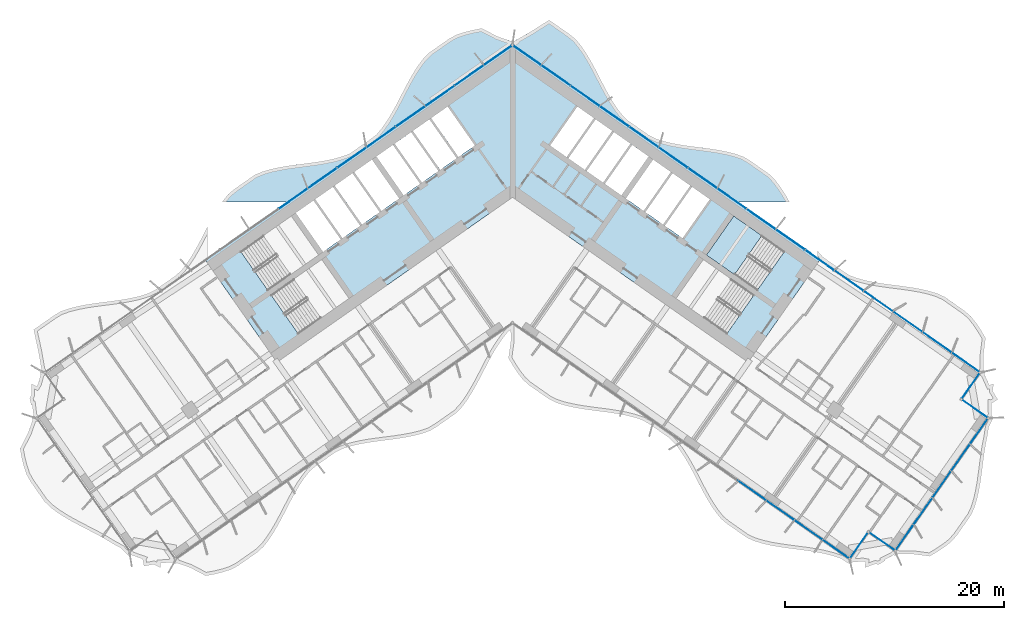
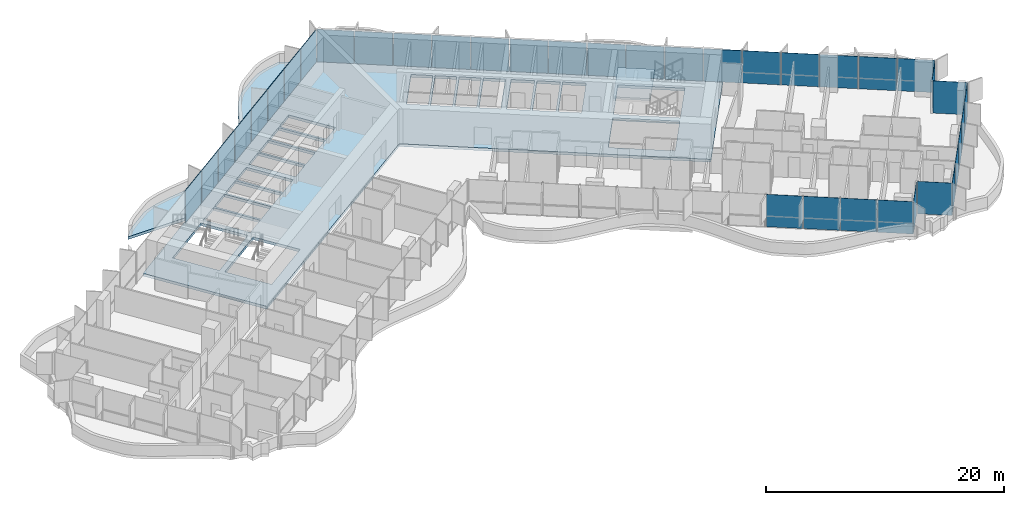
# One storey, part 12 of 25: 37 plates, 3 slabs, 3 elements without a shape of their own.
"""IFC4 building model written with IfcOpenShell, lengths in metres."""

from ifc_helpers import new_model, si_unit, direction, frame, origin, origin_2d, place, context, subcontext, project, spatial, polyline, rectangle, outline, extrude, material, layer, layer_set, type_object, element, aggregate, save


model = new_model("IFC4")

# Units and contexts
model_context = context("Model", 3, precision=1e-05, world=origin(), true_north=direction((0.0, 1.0)))
body_context = subcontext(model_context, "Body", "Model", "MODEL_VIEW")
ifc_project = project(units=[si_unit("LENGTHUNIT", "METRE"), si_unit("AREAUNIT", "SQUARE_METRE"), si_unit("VOLUMEUNIT", "CUBIC_METRE"), si_unit("PLANEANGLEUNIT", "RADIAN"), si_unit("MASSUNIT", "GRAM", prefix="KILO")], contexts=[model_context])

# Site, building, storey
site_placement = place(None, origin())
site = spatial("IfcSite", under=ifc_project, at=site_placement, CompositionType="ELEMENT")
building_placement = place(site_placement, origin())
building = spatial("IfcBuilding", under=site, at=building_placement, Name="Tel Ilan Convention Tower", CompositionType="ELEMENT")
storey_placement = place(building_placement, frame((0.0, 0.0, 54.5)))
storey = spatial("IfcBuildingStorey", under=building, at=storey_placement, Name="L08", CompositionType="ELEMENT", Elevation=54.5)

# Curtain wall, plates
ifc_material_1 = material(Name="Aluminium, bronze anodised", Category="aluminium")
curtain_wall_type_1 = type_object("IfcCurtainWallType", Name="CW1 UNITISED CURTAIN WALL, HOTEL TINTED GLASS", PredefinedType="NOTDEFINED", material=ifc_material_1)
curtain_wall_1_placement = place(storey_placement, origin())
curtain_wall_1 = element("IfcCurtainWall", 1, at=curtain_wall_1_placement, inside=storey, type_object=curtain_wall_type_1, Name="Curtain wall CW1-11.02", PredefinedType="NOTDEFINED")
ifc_material_2 = material(Name="Glass, bronze tinted, two-ply unitised", Category="glass")
ifc_layer_1 = layer(ifc_material_2, 0.028076171875)
ifc_layer_set_1 = layer_set([ifc_layer_1], Name="CW HOTEL GLASS PANEL 28")
plate_type_1 = type_object("IfcPlateType", Name="CW HOTEL GLASS PANEL 28", PredefinedType="CURTAIN_PANEL", material=ifc_layer_set_1)
plate_1_placement = place(storey_placement, frame((21.90185546875, -28.031982421875, 0.0), z_axis=(0.0, 0.0, 1.0), x_axis=(0.819152044289, -0.573576436351, 0.0)))
plate_1 = element("IfcPlate", 2, at=plate_1_placement, type_object=plate_type_1, Name="Glass panel", PredefinedType="CURTAIN_PANEL", context=body_context, shape_type="SweptSolid", body=[
    extrude(rectangle(XDim=3.077392578125, YDim=0.028076171875, at=origin_2d()), origin(), (0.0, 0.0, 1.0), 3.320068359375),
])
plate_2_placement = place(storey_placement, frame((24.4716796875, -29.831298828125, 0.0), z_axis=(0.0, 0.0, 1.0), x_axis=(0.819152044289, -0.573576436351, 0.0)))
plate_2 = element("IfcPlate", 3, at=plate_2_placement, type_object=plate_type_1, Name="Glass panel", PredefinedType="CURTAIN_PANEL", context=body_context, shape_type="SweptSolid", body=[
    extrude(rectangle(XDim=3.077392578125, YDim=0.028076171875, at=origin_2d()), origin(), (0.0, 0.0, 1.0), 3.320068359375),
])
plate_3_placement = place(storey_placement, frame((27.041748046875, -31.630859375, 0.0), z_axis=(0.0, 0.0, 1.0), x_axis=(0.819152044289, -0.573576436351, 0.0)))
plate_3 = element("IfcPlate", 4, at=plate_3_placement, type_object=plate_type_1, Name="Glass panel", PredefinedType="CURTAIN_PANEL", context=body_context, shape_type="SweptSolid", body=[
    extrude(rectangle(XDim=3.077392578125, YDim=0.028076171875, at=origin_2d()), origin(), (0.0, 0.0, 1.0), 3.320068359375),
])
plate_4_placement = place(storey_placement, frame((29.5732421875, -33.4033203125, 0.0), z_axis=(0.0, 0.0, 1.0), x_axis=(0.819152044289, -0.573576436351, 0.0)))
plate_4 = element("IfcPlate", 5, at=plate_4_placement, type_object=plate_type_1, Name="Glass panel", PredefinedType="CURTAIN_PANEL", context=body_context, shape_type="SweptSolid", body=[
    extrude(rectangle(XDim=2.9833984375, YDim=0.028076171875, at=origin_2d()), origin(), (0.0, 0.0, 1.0), 3.320068359375),
])
plate_5_placement = place(storey_placement, frame((31.653076171875, -33.07568359375, 0.0), z_axis=(0.0, 0.0, 1.0), x_axis=(0.573576436351, 0.819152044289, 0.0)))
plate_5 = element("IfcPlate", 6, at=plate_5_placement, type_object=plate_type_1, Name="Glass panel", PredefinedType="CURTAIN_PANEL", context=body_context, shape_type="SweptSolid", body=[
    extrude(rectangle(XDim=2.875, YDim=0.028076171875, at=origin_2d()), origin(), (0.0, 0.0, 1.0), 3.320068359375),
])
plate_6_placement = place(storey_placement, frame((33.795654296875, -32.69775390625, 0.0), z_axis=(0.0, 0.0, 1.0), x_axis=(0.819152044289, -0.573576436351, 0.0)))
plate_6 = element("IfcPlate", 7, at=plate_6_placement, type_object=plate_type_1, Name="Glass panel", PredefinedType="CURTAIN_PANEL", context=body_context, shape_type="SweptSolid", body=[
    extrude(rectangle(XDim=2.875, YDim=0.028076171875, at=origin_2d()), origin(), (0.0, 0.0, 1.0), 3.320068359375),
])
plate_7_placement = place(storey_placement, frame((35.822998046875, -32.350830078125, 0.0), z_axis=(0.0, 0.0, 1.0), x_axis=(0.573576436351, 0.819152044289, 0.0)))
plate_7 = element("IfcPlate", 8, at=plate_7_placement, type_object=plate_type_1, Name="Glass panel", PredefinedType="CURTAIN_PANEL", context=body_context, shape_type="SweptSolid", body=[
    extrude(rectangle(XDim=2.845947265625, YDim=0.028076171875, at=origin_2d()), origin(), (0.0, 0.0, 1.0), 3.320068359375),
])
plate_8_placement = place(storey_placement, frame((37.5166015625, -29.931884765625, 0.0), z_axis=(0.0, 0.0, 1.0), x_axis=(0.573576436351, 0.819152044289, 0.0)))
plate_8 = element("IfcPlate", 9, at=plate_8_placement, type_object=plate_type_1, Name="Glass panel", PredefinedType="CURTAIN_PANEL", context=body_context, shape_type="SweptSolid", body=[
    extrude(rectangle(XDim=2.93994140625, YDim=0.028076171875, at=origin_2d()), origin(), (0.0, 0.0, 1.0), 3.320068359375),
])
plate_9_placement = place(storey_placement, frame((39.2373046875, -27.474365234375, 0.0), z_axis=(0.0, 0.0, 1.0), x_axis=(0.573576436351, 0.819152044289, 0.0)))
plate_9 = element("IfcPlate", 10, at=plate_9_placement, type_object=plate_type_1, Name="Glass panel", PredefinedType="CURTAIN_PANEL", context=body_context, shape_type="SweptSolid", body=[
    extrude(rectangle(XDim=2.93994140625, YDim=0.028076171875, at=origin_2d()), origin(), (0.0, 0.0, 1.0), 3.320068359375),
])
plate_10_placement = place(storey_placement, frame((40.9580078125, -25.016845703125, 0.0), z_axis=(0.0, 0.0, 1.0), x_axis=(0.573576436351, 0.819152044289, 0.0)))
plate_10 = element("IfcPlate", 11, at=plate_10_placement, type_object=plate_type_1, Name="Glass panel", PredefinedType="CURTAIN_PANEL", context=body_context, shape_type="SweptSolid", body=[
    extrude(rectangle(XDim=2.93994140625, YDim=0.028076171875, at=origin_2d()), origin(), (0.0, 0.0, 1.0), 3.320068359375),
])
plate_11_placement = place(storey_placement, frame((42.65185546875, -22.597900390625, 0.0), z_axis=(0.0, 0.0, 1.0), x_axis=(0.573576436351, 0.819152044289, 0.0)))
plate_11 = element("IfcPlate", 12, at=plate_11_placement, type_object=plate_type_1, Name="Glass panel", PredefinedType="CURTAIN_PANEL", context=body_context, shape_type="SweptSolid", body=[
    extrude(rectangle(XDim=2.845947265625, YDim=0.028076171875, at=origin_2d()), origin(), (0.0, 0.0, 1.0), 3.320068359375),
])
plate_12_placement = place(storey_placement, frame((42.28466796875, -20.57421875, 0.0), z_axis=(0.0, 0.0, 1.0), x_axis=(-0.819152044289, 0.573576436351, 0.0)))
plate_12 = element("IfcPlate", 13, at=plate_12_placement, type_object=plate_type_1, Name="Glass panel", PredefinedType="CURTAIN_PANEL", context=body_context, shape_type="SweptSolid", body=[
    extrude(rectangle(XDim=2.875, YDim=0.028076171875, at=origin_2d()), origin(), (0.0, 0.0, 1.0), 3.320068359375),
])
plate_13_placement = place(storey_placement, frame((41.90673828125, -18.431640625, 0.0), z_axis=(0.0, 0.0, 1.0), x_axis=(0.573576436351, 0.819152044289, 0.0)))
plate_13 = element("IfcPlate", 14, at=plate_13_placement, type_object=plate_type_1, Name="Glass panel", PredefinedType="CURTAIN_PANEL", context=body_context, shape_type="SweptSolid", body=[
    extrude(rectangle(XDim=2.875, YDim=0.028076171875, at=origin_2d()), origin(), (0.0, 0.0, 1.0), 3.320068359375),
])
plate_14_placement = place(storey_placement, frame((41.448486328125, -16.326416015625, 0.0), z_axis=(0.0, 0.0, 1.0), x_axis=(-0.819152044289, 0.573576436351, 0.0)))
plate_14 = element("IfcPlate", 15, at=plate_14_placement, type_object=plate_type_1, Name="Glass panel", PredefinedType="CURTAIN_PANEL", context=body_context, shape_type="SweptSolid", body=[
    extrude(rectangle(XDim=3.117919921875, YDim=0.028076171875, at=origin_2d()), origin(), (0.0, 0.0, 1.0), 3.320068359375),
])
plate_15_placement = place(storey_placement, frame((38.806640625, -14.4765625, 0.0), z_axis=(0.0, 0.0, 1.0), x_axis=(-0.819152044289, 0.573576436351, 0.0)))
plate_15 = element("IfcPlate", 16, at=plate_15_placement, type_object=plate_type_1, Name="Glass panel", PredefinedType="CURTAIN_PANEL", context=body_context, shape_type="SweptSolid", body=[
    extrude(rectangle(XDim=3.2119140625, YDim=0.028076171875, at=origin_2d()), origin(), (0.0, 0.0, 1.0), 3.320068359375),
])
plate_16_placement = place(storey_placement, frame((36.12646484375, -12.599853515625, 0.0), z_axis=(0.0, 0.0, 1.0), x_axis=(-0.819152044289, 0.573576436351, 0.0)))
plate_16 = element("IfcPlate", 17, at=plate_16_placement, type_object=plate_type_1, Name="Glass panel", PredefinedType="CURTAIN_PANEL", context=body_context, shape_type="SweptSolid", body=[
    extrude(rectangle(XDim=3.2119140625, YDim=0.028076171875, at=origin_2d()), origin(), (0.0, 0.0, 1.0), 3.320068359375),
])
plate_17_placement = place(storey_placement, frame((33.446044921875, -10.72314453125, 0.0), z_axis=(0.0, 0.0, 1.0), x_axis=(-0.819152044289, 0.573576436351, 0.0)))
plate_17 = element("IfcPlate", 18, at=plate_17_placement, type_object=plate_type_1, Name="Glass panel", PredefinedType="CURTAIN_PANEL", context=body_context, shape_type="SweptSolid", body=[
    extrude(rectangle(XDim=3.2119140625, YDim=0.028076171875, at=origin_2d()), origin(), (0.0, 0.0, 1.0), 3.320068359375),
])
plate_18_placement = place(storey_placement, frame((30.765869140625, -8.846435546875, 0.0), z_axis=(0.0, 0.0, 1.0), x_axis=(-0.819152044289, 0.573576436351, 0.0)))
plate_18 = element("IfcPlate", 19, at=plate_18_placement, type_object=plate_type_1, Name="Glass panel", PredefinedType="CURTAIN_PANEL", context=body_context, shape_type="SweptSolid", body=[
    extrude(rectangle(XDim=3.2119140625, YDim=0.028076171875, at=origin_2d()), origin(), (0.0, 0.0, 1.0), 3.320068359375),
])
aggregate(curtain_wall_1, [plate_1, plate_2, plate_3, plate_4, plate_5, plate_6, plate_7, plate_8, plate_9, plate_10, plate_11, plate_12, plate_13, plate_14, plate_15, plate_16, plate_17, plate_18])

ifc_material_3 = material(Name="Aluminium, bronze anodised", Category="aluminium")
curtain_wall_type_2 = type_object("IfcCurtainWallType", Name="CW2 STICK CURTAIN WALL, SPANDREL PANELS", PredefinedType="NOTDEFINED", material=ifc_material_3)
curtain_wall_2_placement = place(storey_placement, origin())
curtain_wall_2 = element("IfcCurtainWall", 20, at=curtain_wall_2_placement, inside=storey, type_object=curtain_wall_type_2, Name="Curtain wall CW2-11.01", PredefinedType="NOTDEFINED")
ifc_material_4 = material(Name="Aluminium composite panel, bronze anodised", Category="aluminium")
ifc_layer_2 = layer(ifc_material_4, 0.06005859375)
ifc_layer_set_2 = layer_set([ifc_layer_2], Name="CW SPANDREL PANEL 60")
plate_type_2 = type_object("IfcPlateType", Name="CW SPANDREL PANEL 60", PredefinedType="CURTAIN_PANEL", material=ifc_layer_set_2)
plate_19_placement = place(storey_placement, frame((28.08544921875, -6.9697265625, 0.0), z_axis=(0.0, 0.0, 1.0), x_axis=(-0.819152044289, 0.573576436351, 0.0)))
plate_19 = element("IfcPlate", 21, at=plate_19_placement, type_object=plate_type_2, Name="Spandrel panel", PredefinedType="CURTAIN_PANEL", context=body_context, shape_type="SweptSolid", body=[
    extrude(rectangle(XDim=3.2119140625, YDim=0.06005859375, at=origin_2d()), origin(), (0.0, 0.0, 1.0), 3.320068359375),
])
plate_20_placement = place(storey_placement, frame((25.4052734375, -5.0927734375, 0.0), z_axis=(0.0, 0.0, 1.0), x_axis=(-0.819152044289, 0.573576436351, 0.0)))
plate_20 = element("IfcPlate", 22, at=plate_20_placement, type_object=plate_type_2, Name="Spandrel panel", PredefinedType="CURTAIN_PANEL", context=body_context, shape_type="SweptSolid", body=[
    extrude(rectangle(XDim=3.2119140625, YDim=0.06005859375, at=origin_2d()), origin(), (0.0, 0.0, 1.0), 3.320068359375),
])
plate_21_placement = place(storey_placement, frame((22.72509765625, -3.216064453125, 0.0), z_axis=(0.0, 0.0, 1.0), x_axis=(-0.819152044289, 0.573576436351, 0.0)))
plate_21 = element("IfcPlate", 23, at=plate_21_placement, type_object=plate_type_2, Name="Spandrel panel", PredefinedType="CURTAIN_PANEL", context=body_context, shape_type="SweptSolid", body=[
    extrude(rectangle(XDim=3.2119140625, YDim=0.06005859375, at=origin_2d()), origin(), (0.0, 0.0, 1.0), 3.320068359375),
])
plate_22_placement = place(storey_placement, frame((20.044677734375, -1.33935546875, 0.0), z_axis=(0.0, 0.0, 1.0), x_axis=(-0.819152044289, 0.573576436351, 0.0)))
plate_22 = element("IfcPlate", 24, at=plate_22_placement, type_object=plate_type_2, Name="Spandrel panel", PredefinedType="CURTAIN_PANEL", context=body_context, shape_type="SweptSolid", body=[
    extrude(rectangle(XDim=3.2119140625, YDim=0.06005859375, at=origin_2d()), origin(), (0.0, 0.0, 1.0), 3.320068359375),
])
plate_23_placement = place(storey_placement, frame((17.364501953125, 0.537353515625, 0.0), z_axis=(0.0, 0.0, 1.0), x_axis=(-0.819152044289, 0.573576436351, 0.0)))
plate_23 = element("IfcPlate", 25, at=plate_23_placement, type_object=plate_type_2, Name="Spandrel panel", PredefinedType="CURTAIN_PANEL", context=body_context, shape_type="SweptSolid", body=[
    extrude(rectangle(XDim=3.2119140625, YDim=0.06005859375, at=origin_2d()), origin(), (0.0, 0.0, 1.0), 3.320068359375),
])
plate_24_placement = place(storey_placement, frame((14.68408203125, 2.4140625, 0.0), z_axis=(0.0, 0.0, 1.0), x_axis=(-0.819152044289, 0.573576436351, 0.0)))
plate_24 = element("IfcPlate", 26, at=plate_24_placement, type_object=plate_type_2, Name="Spandrel panel", PredefinedType="CURTAIN_PANEL", context=body_context, shape_type="SweptSolid", body=[
    extrude(rectangle(XDim=3.2119140625, YDim=0.06005859375, at=origin_2d()), origin(), (0.0, 0.0, 1.0), 3.320068359375),
])
plate_25_placement = place(storey_placement, frame((12.00390625, 4.290771484375, 0.0), z_axis=(0.0, 0.0, 1.0), x_axis=(-0.819152044289, 0.573576436351, 0.0)))
plate_25 = element("IfcPlate", 27, at=plate_25_placement, type_object=plate_type_2, Name="Spandrel panel", PredefinedType="CURTAIN_PANEL", context=body_context, shape_type="SweptSolid", body=[
    extrude(rectangle(XDim=3.2119140625, YDim=0.06005859375, at=origin_2d()), origin(), (0.0, 0.0, 1.0), 3.320068359375),
])
plate_26_placement = place(storey_placement, frame((9.323486328125, 6.16748046875, 0.0), z_axis=(0.0, 0.0, 1.0), x_axis=(-0.819152044289, 0.573576436351, 0.0)))
plate_26 = element("IfcPlate", 28, at=plate_26_placement, type_object=plate_type_2, Name="Spandrel panel", PredefinedType="CURTAIN_PANEL", context=body_context, shape_type="SweptSolid", body=[
    extrude(rectangle(XDim=3.2119140625, YDim=0.06005859375, at=origin_2d()), origin(), (0.0, 0.0, 1.0), 3.320068359375),
])
plate_27_placement = place(storey_placement, frame((6.643310546875, 8.04443359375, 0.0), z_axis=(0.0, 0.0, 1.0), x_axis=(-0.819152044289, 0.573576436351, 0.0)))
plate_27 = element("IfcPlate", 29, at=plate_27_placement, type_object=plate_type_2, Name="Spandrel panel", PredefinedType="CURTAIN_PANEL", context=body_context, shape_type="SweptSolid", body=[
    extrude(rectangle(XDim=3.2119140625, YDim=0.06005859375, at=origin_2d()), origin(), (0.0, 0.0, 1.0), 3.320068359375),
])
plate_28_placement = place(storey_placement, frame((3.963134765625, 9.921142578125, 0.0), z_axis=(0.0, 0.0, 1.0), x_axis=(-0.819152044289, 0.573576436351, 0.0)))
plate_28 = element("IfcPlate", 30, at=plate_28_placement, type_object=plate_type_2, Name="Spandrel panel", PredefinedType="CURTAIN_PANEL", context=body_context, shape_type="SweptSolid", body=[
    extrude(rectangle(XDim=3.2119140625, YDim=0.06005859375, at=origin_2d()), origin(), (0.0, 0.0, 1.0), 3.320068359375),
])
plate_29_placement = place(storey_placement, frame((1.327880859375, 11.766357421875, 0.0), z_axis=(0.0, 0.0, 1.0), x_axis=(-0.819152044289, 0.573576436351, 0.0)))
plate_29 = element("IfcPlate", 31, at=plate_29_placement, type_object=plate_type_2, Name="Spandrel panel", PredefinedType="CURTAIN_PANEL", context=body_context, shape_type="SweptSolid", body=[
    extrude(rectangle(XDim=3.10205078125, YDim=0.06005859375, at=origin_2d()), origin(), (0.0, 0.0, 1.0), 3.320068359375),
])
plate_30_placement = place(storey_placement, frame((-1.327880859375, 11.766357421875, 0.0), z_axis=(0.0, 0.0, 1.0), x_axis=(-0.819152044289, -0.573576436351, 0.0)))
plate_30 = element("IfcPlate", 32, at=plate_30_placement, type_object=plate_type_2, Name="Spandrel panel", PredefinedType="CURTAIN_PANEL", context=body_context, shape_type="SweptSolid", body=[
    extrude(rectangle(XDim=3.10205078125, YDim=0.06005859375, at=origin_2d()), origin(), (0.0, 0.0, 1.0), 3.320068359375),
])
plate_31_placement = place(storey_placement, frame((-3.963134765625, 9.921142578125, 0.0), z_axis=(0.0, 0.0, 1.0), x_axis=(-0.819152044289, -0.573576436351, 0.0)))
plate_31 = element("IfcPlate", 33, at=plate_31_placement, type_object=plate_type_2, Name="Spandrel panel", PredefinedType="CURTAIN_PANEL", context=body_context, shape_type="SweptSolid", body=[
    extrude(rectangle(XDim=3.2119140625, YDim=0.06005859375, at=origin_2d()), origin(), (0.0, 0.0, 1.0), 3.320068359375),
])
plate_32_placement = place(storey_placement, frame((-6.643310546875, 8.04443359375, 0.0), z_axis=(0.0, 0.0, 1.0), x_axis=(-0.819152044289, -0.573576436351, 0.0)))
plate_32 = element("IfcPlate", 34, at=plate_32_placement, type_object=plate_type_2, Name="Spandrel panel", PredefinedType="CURTAIN_PANEL", context=body_context, shape_type="SweptSolid", body=[
    extrude(rectangle(XDim=3.2119140625, YDim=0.06005859375, at=origin_2d()), origin(), (0.0, 0.0, 1.0), 3.320068359375),
])
plate_33_placement = place(storey_placement, frame((-9.323486328125, 6.16748046875, 0.0), z_axis=(0.0, 0.0, 1.0), x_axis=(-0.819152044289, -0.573576436351, 0.0)))
plate_33 = element("IfcPlate", 35, at=plate_33_placement, type_object=plate_type_2, Name="Spandrel panel", PredefinedType="CURTAIN_PANEL", context=body_context, shape_type="SweptSolid", body=[
    extrude(rectangle(XDim=3.2119140625, YDim=0.06005859375, at=origin_2d()), origin(), (0.0, 0.0, 1.0), 3.320068359375),
])
plate_34_placement = place(storey_placement, frame((-12.00390625, 4.290771484375, 0.0), z_axis=(0.0, 0.0, 1.0), x_axis=(-0.819152044289, -0.573576436351, 0.0)))
plate_34 = element("IfcPlate", 36, at=plate_34_placement, type_object=plate_type_2, Name="Spandrel panel", PredefinedType="CURTAIN_PANEL", context=body_context, shape_type="SweptSolid", body=[
    extrude(rectangle(XDim=3.2119140625, YDim=0.06005859375, at=origin_2d()), origin(), (0.0, 0.0, 1.0), 3.320068359375),
])
plate_35_placement = place(storey_placement, frame((-14.68408203125, 2.4140625, 0.0), z_axis=(0.0, 0.0, 1.0), x_axis=(-0.819152044289, -0.573576436351, 0.0)))
plate_35 = element("IfcPlate", 37, at=plate_35_placement, type_object=plate_type_2, Name="Spandrel panel", PredefinedType="CURTAIN_PANEL", context=body_context, shape_type="SweptSolid", body=[
    extrude(rectangle(XDim=3.2119140625, YDim=0.06005859375, at=origin_2d()), origin(), (0.0, 0.0, 1.0), 3.320068359375),
])
plate_36_placement = place(storey_placement, frame((-17.364501953125, 0.537353515625, 0.0), z_axis=(0.0, 0.0, 1.0), x_axis=(-0.819152044289, -0.573576436351, 0.0)))
plate_36 = element("IfcPlate", 38, at=plate_36_placement, type_object=plate_type_2, Name="Spandrel panel", PredefinedType="CURTAIN_PANEL", context=body_context, shape_type="SweptSolid", body=[
    extrude(rectangle(XDim=3.2119140625, YDim=0.06005859375, at=origin_2d()), origin(), (0.0, 0.0, 1.0), 3.320068359375),
])
plate_37_placement = place(storey_placement, frame((-20.044677734375, -1.33935546875, 0.0), z_axis=(0.0, 0.0, 1.0), x_axis=(-0.819152044289, -0.573576436351, 0.0)))
plate_37 = element("IfcPlate", 39, at=plate_37_placement, type_object=plate_type_2, Name="Spandrel panel", PredefinedType="CURTAIN_PANEL", context=body_context, shape_type="SweptSolid", body=[
    extrude(rectangle(XDim=3.2119140625, YDim=0.06005859375, at=origin_2d()), origin(), (0.0, 0.0, 1.0), 3.320068359375),
])
aggregate(curtain_wall_2, [plate_19, plate_20, plate_21, plate_22, plate_23, plate_24, plate_25, plate_26, plate_27, plate_28, plate_29, plate_30, plate_31, plate_32, plate_33, plate_34, plate_35, plate_36, plate_37])

# Stair, slab
ifc_material_5 = material(Name="Concrete C40/50", Category="concrete")
stair_type = type_object("IfcStairType", Name="Pressurised Exit Stair 20 risers 180 mm", PredefinedType="HALF_TURN_STAIR", material=ifc_material_5)
stair_placement = place(storey_placement, origin())
stair = element("IfcStair", 40, at=stair_placement, inside=storey, type_object=stair_type, Name="L08 Pressurised Stair S3", PredefinedType="HALF_TURN_STAIR")
ifc_material_6 = material(Name="Concrete C40/50", Category="concrete")
ifc_layer_3 = layer(ifc_material_6, 0.199951171875)
ifc_layer_set_3 = layer_set([ifc_layer_3], Name="Concrete Stair Landing 200 mm C40/50")
slab_type_1 = type_object("IfcSlabType", Name="Concrete Stair Landing 200 mm", PredefinedType="LANDING", material=ifc_layer_set_3)
slab_1_placement = place(storey_placement, frame((0.0, 0.0, 1.60009765625)))
slab_1 = element("IfcSlab", 41, at=slab_1_placement, type_object=slab_type_1, Name="S3 landing 1", PredefinedType="LANDING", context=body_context, shape_type="SweptSolid", body=[
    extrude(outline(polyline([(22.791015625, -4.727294921875), (20.226318359375, -2.931640625), (17.7314453125, -6.494873046875), (20.2958984375, -8.29052734375), (22.791015625, -4.727294921875)])), origin(), (0.0, 0.0, 1.0), 0.199951171875),
])
aggregate(stair, [slab_1])

# Slabs
ifc_material_7 = material(Name="Concrete C40/50", Category="concrete")
ifc_layer_4 = layer(ifc_material_7, 0.280029296875)
ifc_layer_set_4 = layer_set([ifc_layer_4], Name="Core Floor Slab 280 mm C40/50")
slab_type_2 = type_object("IfcSlabType", Name="Core Floor Slab 280 mm C40/50", PredefinedType="FLOOR", material=ifc_layer_set_4)
slab_2_placement = place(storey_placement, frame((0.0, 0.0, -0.280029296875)))
element("IfcSlab", 42, at=slab_2_placement, inside=storey, type_object=slab_type_2, Name="L08 core floor 1", PredefinedType="FLOOR", context=body_context, shape_type="SweptSolid", body=[
    extrude(outline(polyline([(-0.2412109375, 12.6494140625), (-1.02099609375, 12.103271484375), (0.0, 12.818115234375), (28.1396484375, -6.885498046875), (21.54345703125, -16.3056640625), (0.0, -1.220703125), (-21.54345703125, -16.3056640625), (-28.1396484375, -6.885498046875), (-1.304931640625, 11.904296875), (-0.2412109375, 12.6494140625), (-6.190673828125, 8.4833984375), (-0.2412109375, 12.6494140625)]), holes=[polyline([(-14.949462890625, -10.4677734375), (-17.444580078125, -6.904541015625), (-22.072021484375, -10.144775390625), (-19.5771484375, -13.7080078125), (-14.949462890625, -10.4677734375)]), polyline([(-17.7314453125, -6.494873046875), (-20.226318359375, -2.931640625), (-24.85400390625, -6.171875), (-22.35888671875, -9.735107421875), (-17.7314453125, -6.494873046875)]), polyline([(-18.198974609375, -1.511962890625), (-19.81689453125, -2.644775390625), (-17.32177734375, -6.2080078125), (-15.7041015625, -5.0751953125), (-18.198974609375, -1.511962890625)]), polyline([(-16.41748046875, -0.264404296875), (-18.03515625, -1.397216796875), (-15.5400390625, -4.960693359375), (-13.92236328125, -3.827880859375), (-16.41748046875, -0.264404296875)]), polyline([(-14.6357421875, 0.983154296875), (-16.25341796875, -0.149658203125), (-13.758544921875, -3.712890625), (-12.140625, -2.580078125), (-14.6357421875, 0.983154296875)]), polyline([(-12.85400390625, 2.230712890625), (-14.471923828125, 1.097900390625), (-11.976806640625, -2.465576171875), (-10.35888671875, -1.332763671875), (-12.85400390625, 2.230712890625)]), polyline([(-10.939208984375, 3.5712890625), (-12.444580078125, 2.517333984375), (-9.949462890625, -1.0458984375), (-8.444091796875, 0.008056640625), (-10.939208984375, 3.5712890625)]), polyline([(-6.775146484375, 1.1767578125), (-9.270263671875, 4.739990234375), (-10.775390625, 3.68603515625), (-8.280517578125, 0.122802734375), (-6.775146484375, 1.1767578125)]), polyline([(-5.106201171875, 2.345458984375), (-7.601318359375, 5.90869140625), (-9.1064453125, 4.854736328125), (-6.611328125, 1.29150390625), (-5.106201171875, 2.345458984375)]), polyline([(-5.93212890625, 7.077392578125), (-7.4375, 6.0234375), (-4.9423828125, 2.460205078125), (-3.437255859375, 3.513916015625), (-5.93212890625, 7.077392578125)]), polyline([(17.444580078125, -6.904541015625), (14.949462890625, -10.4677734375), (19.5771484375, -13.7080078125), (22.072021484375, -10.144775390625), (17.444580078125, -6.904541015625)]), polyline([(20.226318359375, -2.931640625), (17.7314453125, -6.494873046875), (22.35888671875, -9.735107421875), (24.85400390625, -6.171875), (20.226318359375, -2.931640625)]), polyline([(13.92236328125, -3.827880859375), (15.5400390625, -4.960693359375), (18.03515625, -1.397216796875), (16.41748046875, -0.264404296875), (13.92236328125, -3.827880859375)]), polyline([(12.140625, -2.580078125), (13.758544921875, -3.712890625), (16.25341796875, -0.149658203125), (14.6357421875, 0.983154296875), (12.140625, -2.580078125)]), polyline([(11.976806640625, -2.465576171875), (14.471923828125, 1.097900390625), (12.85400390625, 2.230712890625), (10.35888671875, -1.332763671875), (11.976806640625, -2.465576171875)]), polyline([(9.949462890625, -1.0458984375), (12.444580078125, 2.517333984375), (10.939208984375, 3.5712890625), (8.444091796875, 0.008056640625), (9.949462890625, -1.0458984375)]), polyline([(8.280517578125, 0.122802734375), (10.775390625, 3.68603515625), (9.270263671875, 4.739990234375), (6.775146484375, 1.1767578125), (8.280517578125, 0.122802734375)]), polyline([(5.106201171875, 2.345458984375), (6.611328125, 1.29150390625), (9.1064453125, 4.854736328125), (7.601318359375, 5.90869140625), (5.106201171875, 2.345458984375)]), polyline([(3.437255859375, 3.513916015625), (4.9423828125, 2.460205078125), (7.4375, 6.0234375), (5.93212890625, 7.077392578125), (3.437255859375, 3.513916015625)])]), origin(), (0.0, 0.0, 1.0), 0.280029296875),
])
ifc_material_8 = material(Name="Concrete C40/50", Category="concrete")
ifc_layer_5 = layer(ifc_material_8, 0.280029296875)
ifc_layer_set_5 = layer_set([ifc_layer_5], Name="Edge Ledge Slab 280 mm C40/50")
slab_type_3 = type_object("IfcSlabType", Name="Edge Ledge Slab 280 mm C40/50", PredefinedType="FLOOR", material=ifc_layer_set_5)
slab_3_placement = place(storey_placement, frame((0.0, 0.0, -0.280029296875)))
element("IfcSlab", 43, at=slab_3_placement, inside=storey, type_object=slab_type_3, Name="L08 edge ledge 2", PredefinedType="FLOOR", context=body_context, shape_type="SweptSolid", body=[
    extrude(outline(polyline([(-23.564453125, 0.8349609375), (-22.857421875, 1.129150390625), (-22.099365234375, 1.350341796875), (-21.307861328125, 1.52392578125), (-20.490966796875, 1.661376953125), (-19.658203125, 1.77587890625), (-18.8193359375, 1.881591796875), (-17.98486328125, 1.993896484375), (-17.16455078125, 2.12646484375), (-16.368408203125, 2.29296875), (-15.60400390625, 2.50537109375), (-14.87890625, 2.773681640625), (-14.2626953125, 3.197509765625), (-13.037353515625, 4.055419921875), (-12.43994140625, 4.506103515625), (-11.945068359375, 5.103271484375), (-11.48828125, 5.755126953125), (-11.06298828125, 6.451416015625), (-10.66015625, 7.179931640625), (-10.2705078125, 7.927490234375), (-9.8837890625, 8.67919921875), (-9.489990234375, 9.42041015625), (-9.078857421875, 10.13720703125), (-8.641357421875, 10.81640625), (-8.169677734375, 11.446533203125), (-7.635986328125, 11.98828125), (-5.798095703125, 13.275146484375), (-5.14013671875, 13.639404296875), (-4.39794921875, 13.88330078125), (-3.619384765625, 14.075439453125), (-2.81201171875, 14.226318359375), (-1.382080078125, 13.48828125), (-0.172119140625, 13.06396484375), (-0.168701171875, 13.05908203125), (-0.11474609375, 13.09521484375), (0.0, 13.1181640625), (0.11474609375, 13.09521484375), (0.168701171875, 13.05908203125), (0.172119140625, 13.06396484375), (1.705810546875, 13.95068359375), (3.347412109375, 14.990966796875), (3.960205078125, 14.56201171875), (5.185302734375, 13.7041015625), (5.7705078125, 13.23583984375), (6.26025390625, 12.63134765625), (6.712646484375, 11.9736328125), (7.134765625, 11.272705078125), (7.535400390625, 10.540771484375), (7.924072265625, 9.7919921875), (8.31103515625, 9.040771484375), (8.70654296875, 8.3017578125), (9.12060546875, 7.589111328125), (9.56201171875, 6.915283203125), (10.038330078125, 6.2919921875), (10.5869140625, 5.771484375), (12.4248046875, 4.484619140625), (13.0966796875, 4.139892578125), (13.843505859375, 3.903076171875), (14.626220703125, 3.716796875), (15.4365234375, 3.570068359375), (16.265625, 3.4501953125), (17.103759765625, 3.343505859375), (17.940673828125, 3.234619140625), (18.76611328125, 3.109619140625), (19.5703125, 2.9541015625), (20.344482421875, 2.756103515625), (21.081787109375, 2.505126953125), (21.7265625, 2.121826171875), (23.564453125, 0.8349609375), (24.082763671875, 0.271240234375), (24.5498046875, -0.365478515625), (24.983642578125, -1.0498046875), (25.313232421875, -1.631591796875), (20.63623046875, -1.631591796875), (0.0, 12.818115234375), (-0.23974609375, 12.650146484375), (-1.244384765625, 11.94677734375), (-20.63623046875, -1.631591796875), (-26.5380859375, -1.631591796875), (-26.470947265625, -1.533447265625), (-25.98291015625, -0.9267578125), (-25.40234375, -0.451904296875), (-23.564453125, 0.8349609375)])), origin(), (0.0, 0.0, 1.0), 0.280029296875),
])

save(model, "model.ifc")
